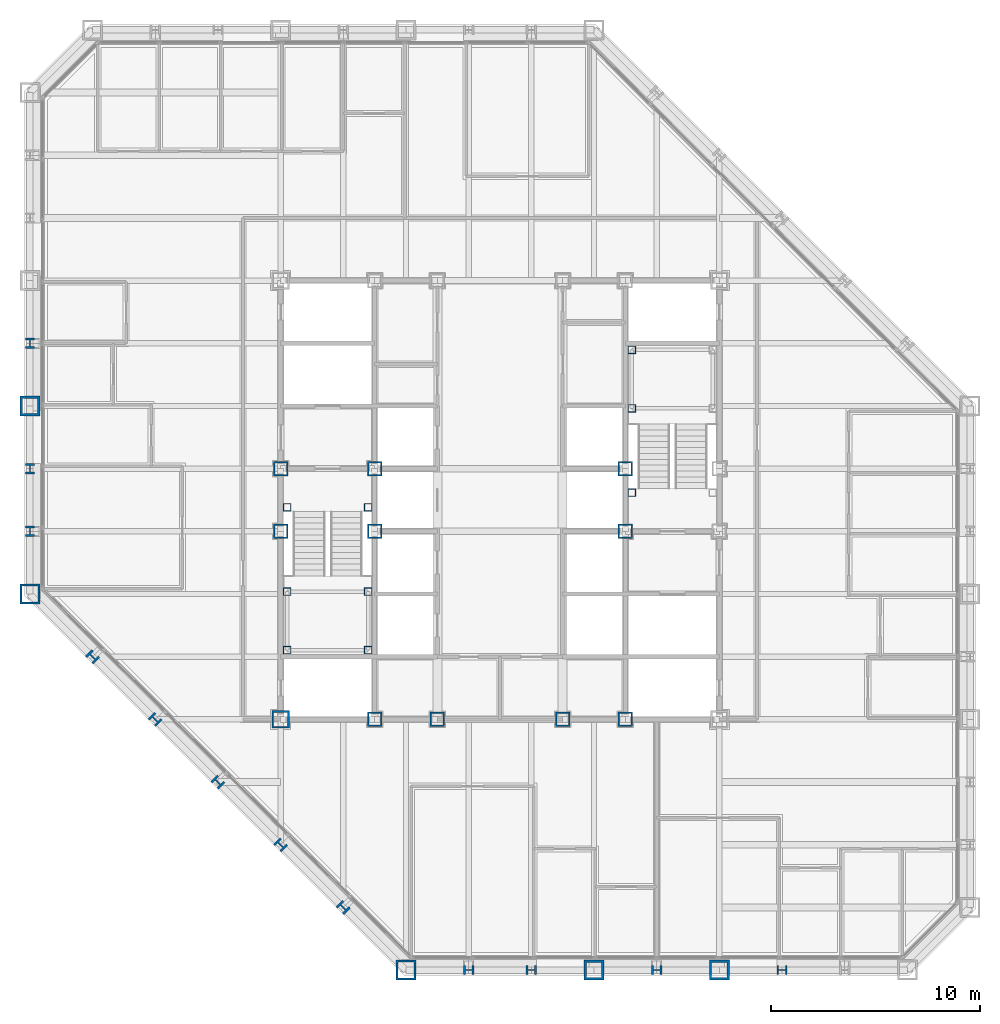
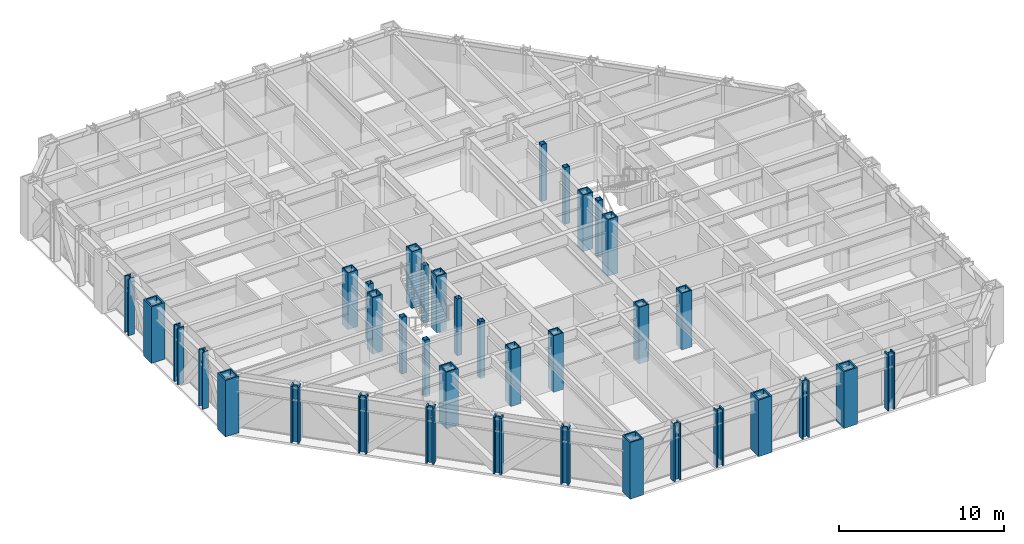
# One storey, part 1 of 16: 37 columns.
"""IFC4 building model written with IfcOpenShell, lengths in metres."""

from ifc_helpers import new_model, si_unit, direction, frame, origin, origin_2d, place, context, subcontext, project, spatial, hollow_rectangle, i_section, extrude, material, material_profile, profile_set, type_object, element, save


model = new_model("IFC4")

# Units and contexts
model_context = context("Model", 3, precision=1e-05, world=origin(), true_north=direction((0.0, 1.0)))
body_context = subcontext(model_context, "Body", "Model", "MODEL_VIEW")
ifc_project = project(units=[si_unit("LENGTHUNIT", "METRE"), si_unit("AREAUNIT", "SQUARE_METRE"), si_unit("VOLUMEUNIT", "CUBIC_METRE"), si_unit("PLANEANGLEUNIT", "RADIAN"), si_unit("MASSUNIT", "GRAM", prefix="KILO")], contexts=[model_context])

# Site, building, storey
site_placement = place(None, origin())
site = spatial("IfcSite", under=ifc_project, at=site_placement, CompositionType="ELEMENT")
building_placement = place(site_placement, origin())
building = spatial("IfcBuilding", under=site, at=building_placement, Name="Chuquiago Exchange Tower", CompositionType="ELEMENT")
storey_placement = place(building_placement, frame((0.0, 0.0, 119.39990234375)))
storey = spatial("IfcBuildingStorey", under=building, at=storey_placement, Name="L25", CompositionType="ELEMENT", Elevation=119.39990234375)

# Columns
ifc_material_1 = material(Name="Steel ASTM A992", Category="steel")
ifc_material_profile_1 = material_profile(ifc_material_1, i_section(OverallWidth=0.431884765625, OverallDepth=0.497802734375, WebThickness=0.0556640625, FlangeThickness=0.0888671875, at=origin_2d()), Name="W14X500")
ifc_profile_set_1 = profile_set([ifc_material_profile_1], Name="Steel ASTM A992")
column_type_1 = type_object("IfcColumnType", Name="C3 W14X500", PredefinedType="COLUMN", material=ifc_profile_set_1)
for number, where, z_axis, x_axis, name in (
    (1, (21.0, 0.0, 0.0), (0.0, 0.0, 1.0), (0.0, -1.0, 0.0), "COL-L25-21_0"),
    (2, (24.0, 0.0, 0.0), (0.0, 0.0, 1.0), (0.0, -1.0, 0.0), "COL-L25-24_0"),
    (3, (30.0, 0.0, 0.0), (0.0, 0.0, 1.0), (0.0, -1.0, 0.0), "COL-L25-30_0"),
    (4, (36.0, 0.0, 0.0), (0.0, 0.0, 1.0), (0.0, -1.0, 0.0), "COL-L25-36_0"),
    (5, (0.0, 30.0, 0.0), (0.0, 0.0, 1.0), (-1.0, 0.0, 0.0), "COL-L25-0_30"),
    (6, (0.0, 24.0, 0.0), (0.0, 0.0, 1.0), (-1.0, 0.0, 0.0), "COL-L25-0_24"),
    (7, (0.0, 21.0, 0.0), (0.0, 0.0, 1.0), (-1.0, 0.0, 0.0), "COL-L25-0_21"),
):
    element("IfcColumn", number, at=place(storey_placement, frame(where, z_axis=z_axis, x_axis=x_axis)), inside=storey, type_object=column_type_1, Name=name, PredefinedType="COLUMN", context=body_context, shape_type="SweptSolid", body=[
        extrude(i_section(OverallWidth=0.431884765625, OverallDepth=0.497802734375, WebThickness=0.0556640625, FlangeThickness=0.0888671875, at=origin_2d()), origin(), (0.0, 0.0, 1.0), 4.2001953125),
    ])
ifc_material_2 = material(Name="Steel ASTM A572 Grade 50", Category="steel")
ifc_material_profile_2 = material_profile(ifc_material_2, hollow_rectangle(XDim=0.699951171875, YDim=0.699951171875, WallThickness=0.070068359375, at=origin_2d()), Name="BOX700X700X70")
ifc_profile_set_2 = profile_set([ifc_material_profile_2], Name="Steel ASTM A572 Grade 50")
column_type_2 = type_object("IfcColumnType", Name="CC3 BOX700X700X70", PredefinedType="COLUMN", material=ifc_profile_set_2)
for number, where, z_axis, x_axis, name in (
    (8, (16.5, 12.0, 0.0), (0.0, 0.0, 1.0), (1.0, 0.0, 0.0), "CCOL-L25-16.5_12"),
    (9, (19.5, 12.0, 0.0), (0.0, 0.0, 1.0), (1.0, 0.0, 0.0), "CCOL-L25-19.5_12"),
    (10, (25.5, 12.0, 0.0), (0.0, 0.0, 1.0), (1.0, 0.0, 0.0), "CCOL-L25-25.5_12"),
    (11, (28.5, 12.0, 0.0), (0.0, 0.0, 1.0), (1.0, 0.0, 0.0), "CCOL-L25-28.5_12"),
    (12, (12.0, 21.0, 0.0), (0.0, 0.0, 1.0), (1.0, 0.0, 0.0), "CCOL-L25-12_21"),
    (13, (12.0, 24.0, 0.0), (0.0, 0.0, 1.0), (1.0, 0.0, 0.0), "CCOL-L25-12_24"),
    (14, (16.5, 21.0, 0.0), (0.0, 0.0, 1.0), (1.0, 0.0, 0.0), "CCOL-L25-16.5_21"),
    (15, (16.5, 24.0, 0.0), (0.0, 0.0, 1.0), (1.0, 0.0, 0.0), "CCOL-L25-16.5_24"),
    (16, (28.5, 21.0, 0.0), (0.0, 0.0, 1.0), (1.0, 0.0, 0.0), "CCOL-L25-28.5_21"),
    (17, (28.5, 24.0, 0.0), (0.0, 0.0, 1.0), (1.0, 0.0, 0.0), "CCOL-L25-28.5_24"),
):
    element("IfcColumn", number, at=place(storey_placement, frame(where, z_axis=z_axis, x_axis=x_axis)), inside=storey, type_object=column_type_2, Name=name, PredefinedType="COLUMN", context=body_context, shape_type="SweptSolid", body=[
        extrude(hollow_rectangle(XDim=0.699951171875, YDim=0.699951171875, WallThickness=0.070068359375, at=origin_2d()), origin(), (0.0, 0.0, 1.0), 4.2001953125),
    ])
ifc_material_3 = material(Name="Steel ASTM A572 Grade 50", Category="steel")
ifc_material_profile_3 = material_profile(ifc_material_3, hollow_rectangle(XDim=0.85009765625, YDim=0.85009765625, WallThickness=0.0849609375, at=origin_2d()), Name="BOX850X850X85")
ifc_profile_set_3 = profile_set([ifc_material_profile_3], Name="Steel ASTM A572 Grade 50")
column_type_3 = type_object("IfcColumnType", Name="CC6 BOX850X850X85", PredefinedType="COLUMN", material=ifc_profile_set_3)
column_placement = place(storey_placement, frame((12.0, 12.0, 0.0), z_axis=(0.0, 0.0, 1.0), x_axis=(1.0, 0.0, 0.0)))
element("IfcColumn", 18, at=column_placement, inside=storey, type_object=column_type_3, Name="CCOL-L25-12_12", PredefinedType="COLUMN", context=body_context, shape_type="SweptSolid", body=[
    extrude(hollow_rectangle(XDim=0.85009765625, YDim=0.85009765625, WallThickness=0.0849609375, at=origin_2d()), origin(), (0.0, 0.0, 1.0), 4.2001953125),
])
ifc_material_4 = material(Name="Steel ASTM A992", Category="steel")
ifc_material_profile_4 = material_profile(ifc_material_4, i_section(OverallWidth=0.44189453125, OverallDepth=0.53076171875, WebThickness=0.06591796875, FlangeThickness=0.105712890625, at=origin_2d()), Name="W14X605")
ifc_profile_set_4 = profile_set([ifc_material_profile_4], Name="Steel ASTM A992")
column_type_4 = type_object("IfcColumnType", Name="CK3 W14X605", PredefinedType="COLUMN", material=ifc_profile_set_4)
for number, where, z_axis, x_axis, name in (
    (19, (3.0, 15.0, 0.0), (0.0, 0.0, 1.0), (-0.707106781187, -0.707106781187, 0.0), "COL-L25-3_15"),
    (20, (6.0, 12.0, 0.0), (0.0, 0.0, 1.0), (-0.707106781187, -0.707106781187, 0.0), "COL-L25-6_12"),
    (21, (9.0, 9.0, 0.0), (0.0, 0.0, 1.0), (-0.707106781187, -0.707106781187, 0.0), "COL-L25-9_9"),
    (22, (12.0, 6.0, 0.0), (0.0, 0.0, 1.0), (-0.707106781187, -0.707106781187, 0.0), "COL-L25-12_6"),
    (23, (15.0, 3.0, 0.0), (0.0, 0.0, 1.0), (-0.707106781187, -0.707106781187, 0.0), "COL-L25-15_3"),
):
    element("IfcColumn", number, at=place(storey_placement, frame(where, z_axis=z_axis, x_axis=x_axis)), inside=storey, type_object=column_type_4, Name=name, PredefinedType="COLUMN", context=body_context, shape_type="SweptSolid", body=[
        extrude(i_section(OverallWidth=0.44189453125, OverallDepth=0.53076171875, WebThickness=0.06591796875, FlangeThickness=0.105712890625, at=origin_2d()), origin(), (0.0, 0.0, 1.0), 4.2001953125),
    ])
ifc_material_5 = material(Name="Steel ASTM A572 Grade 50", Category="steel")
ifc_material_profile_5 = material_profile(ifc_material_5, hollow_rectangle(XDim=0.949951171875, YDim=0.949951171875, WallThickness=0.094970703125, at=origin_2d()), Name="BOX950X950X95")
ifc_profile_set_5 = profile_set([ifc_material_profile_5], Name="Steel ASTM A572 Grade 50")
column_type_5 = type_object("IfcColumnType", Name="CN1 BOX950X950X95", PredefinedType="COLUMN", material=ifc_profile_set_5)
for number, where, z_axis, x_axis, name in (
    (24, (18.0, 0.0, 0.0), (0.0, 0.0, 1.0), (0.0, -1.0, 0.0), "COL-L25-18_0"),
    (25, (0.0, 18.0, 0.0), (0.0, 0.0, 1.0), (-1.0, 0.0, 0.0), "COL-L25-0_18"),
):
    element("IfcColumn", number, at=place(storey_placement, frame(where, z_axis=z_axis, x_axis=x_axis)), inside=storey, type_object=column_type_5, Name=name, PredefinedType="COLUMN", context=body_context, shape_type="SweptSolid", body=[
        extrude(hollow_rectangle(XDim=0.949951171875, YDim=0.949951171875, WallThickness=0.094970703125, at=origin_2d()), origin(), (0.0, 0.0, 1.0), 4.2001953125),
    ])
ifc_material_6 = material(Name="Steel ASTM A572 Grade 42", Category="steel")
ifc_material_profile_6 = material_profile(ifc_material_6, hollow_rectangle(XDim=0.949951171875, YDim=0.949951171875, WallThickness=0.110107421875, at=origin_2d()), Name="BOX950X950X110")
ifc_profile_set_6 = profile_set([ifc_material_profile_6], Name="Steel ASTM A572 Grade 42")
column_type_6 = type_object("IfcColumnType", Name="CT1 BOX950X950X110", PredefinedType="COLUMN", material=ifc_profile_set_6)
for number, where, z_axis, x_axis, name in (
    (26, (27.0, 0.0, 0.0), (0.0, 0.0, 1.0), (0.0, -1.0, 0.0), "COL-L25-27_0"),
    (27, (33.0, 0.0, 0.0), (0.0, 0.0, 1.0), (0.0, -1.0, 0.0), "COL-L25-33_0"),
    (28, (0.0, 27.0, 0.0), (0.0, 0.0, 1.0), (-1.0, 0.0, 0.0), "COL-L25-0_27"),
):
    element("IfcColumn", number, at=place(storey_placement, frame(where, z_axis=z_axis, x_axis=x_axis)), inside=storey, type_object=column_type_6, Name=name, PredefinedType="COLUMN", context=body_context, shape_type="SweptSolid", body=[
        extrude(hollow_rectangle(XDim=0.949951171875, YDim=0.949951171875, WallThickness=0.110107421875, at=origin_2d()), origin(), (0.0, 0.0, 1.0), 4.2001953125),
    ])
ifc_material_7 = material(Name="Steel ASTM A500 Grade C", Category="steel")
ifc_material_profile_7 = material_profile(ifc_material_7, hollow_rectangle(XDim=0.355712890625, YDim=0.355712890625, WallThickness=0.0146484375, at=origin_2d()), Name="HSS14X14X5/8")
ifc_profile_set_7 = profile_set([ifc_material_profile_7], Name="Steel ASTM A500 Grade C")
column_type_7 = type_object("IfcColumnType", Name="PT2 HSS14X14X5/8", PredefinedType="COLUMN", material=ifc_profile_set_7)
for number, where, z_axis, x_axis, name in (
    (29, (12.31005859375, 15.31005859375, 0.0), (0.0, 0.0, 1.0), (1.0, 0.0, 0.0), "Stair ST1 L25 landing post"),
    (30, (16.18994140625, 15.31005859375, 0.0), (0.0, 0.0, 1.0), (1.0, 0.0, 0.0), "Stair ST1 L25 landing post"),
    (31, (12.31005859375, 18.110107421875, 0.0), (0.0, 0.0, 1.0), (1.0, 0.0, 0.0), "Stair ST1 L25 landing post"),
    (32, (16.18994140625, 18.110107421875, 0.0), (0.0, 0.0, 1.0), (1.0, 0.0, 0.0), "Stair ST1 L25 landing post"),
    (33, (12.31005859375, 22.14990234375, 0.0), (0.0, 0.0, 1.0), (1.0, 0.0, 0.0), "Stair ST1 L25 landing post"),
    (34, (16.18994140625, 22.14990234375, 0.0), (0.0, 0.0, 1.0), (1.0, 0.0, 0.0), "Stair ST1 L25 landing post"),
    (35, (28.81005859375, 29.68994140625, 0.0), (0.0, 0.0, 1.0), (1.0, 0.0, 0.0), "Stair ST2 L25 landing post"),
    (36, (28.81005859375, 26.889892578125, 0.0), (0.0, 0.0, 1.0), (1.0, 0.0, 0.0), "Stair ST2 L25 landing post"),
    (37, (28.81005859375, 22.85009765625, 0.0), (0.0, 0.0, 1.0), (1.0, 0.0, 0.0), "Stair ST2 L25 landing post"),
):
    element("IfcColumn", number, at=place(storey_placement, frame(where, z_axis=z_axis, x_axis=x_axis)), inside=storey, type_object=column_type_7, Name=name, PredefinedType="COLUMN", context=body_context, shape_type="SweptSolid", body=[
        extrude(hollow_rectangle(XDim=0.355712890625, YDim=0.355712890625, WallThickness=0.0146484375, at=origin_2d()), origin(), (0.0, 0.0, 1.0), 4.2001953125),
    ])

save(model, "model.ifc")
